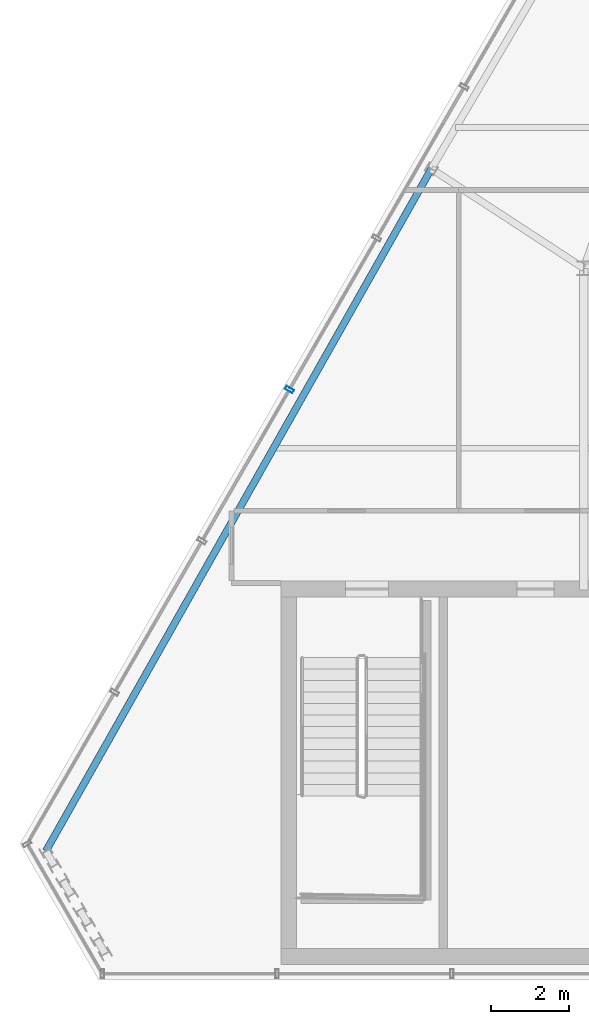
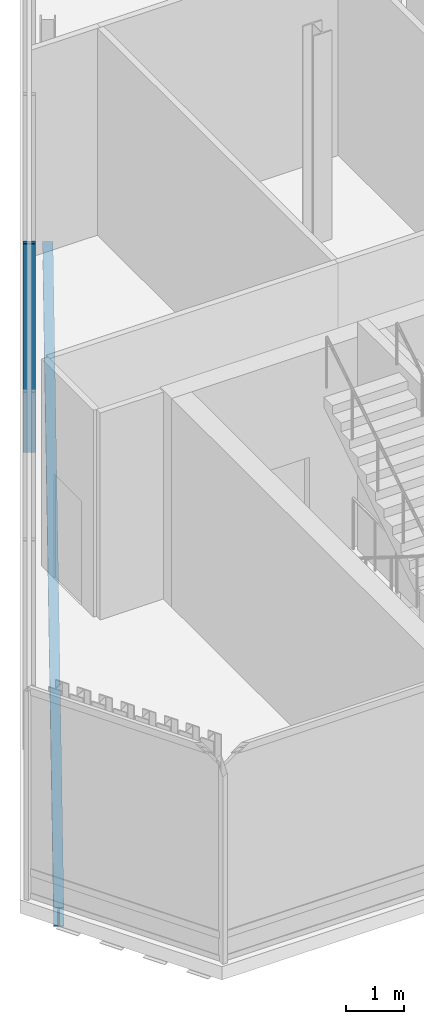
# One storey, part 4 of 25: 1 beam, 1 member, 1 element without a shape of its own.
"""IFC4 building model written with IfcOpenShell, lengths in metres."""

from ifc_helpers import new_model, si_unit, direction, frame, origin, origin_2d, place, context, subcontext, project, spatial, hollow_rectangle, i_section, extrude, material, layer, layer_set, material_profile, profile_set, type_object, element, aggregate, save


model = new_model("IFC4")

# Units and contexts
model_context = context("Model", 3, precision=1e-05, world=origin(), true_north=direction((0.0, 1.0)))
body_context = subcontext(model_context, "Body", "Model", "MODEL_VIEW")
ifc_project = project(units=[si_unit("LENGTHUNIT", "METRE"), si_unit("AREAUNIT", "SQUARE_METRE"), si_unit("VOLUMEUNIT", "CUBIC_METRE"), si_unit("PLANEANGLEUNIT", "RADIAN"), si_unit("MASSUNIT", "GRAM", prefix="KILO")], contexts=[model_context])

# Site, building, storey
site_placement = place(None, origin())
site = spatial("IfcSite", under=ifc_project, at=site_placement, CompositionType="ELEMENT")
building_placement = place(site_placement, origin())
building = spatial("IfcBuilding", under=site, at=building_placement, Name="Ndaravel Arena Tower", CompositionType="ELEMENT")
storey_placement = place(building_placement, frame((0.0, 0.0, 303.300048828125)))
storey = spatial("IfcBuildingStorey", under=building, at=storey_placement, Name="L74", CompositionType="ELEMENT", Elevation=303.300048828125)

# Beam
ifc_material_1 = material(Name="Steel S355", Category="steel")
ifc_material_profile_1 = material_profile(ifc_material_1, i_section(OverallWidth=0.179931640625, OverallDepth=0.39990234375, WebThickness=0.008544921875, FlangeThickness=0.013427734375, FilletRadius=0.02099609375, at=origin_2d()), Name="IPE 400")
ifc_profile_set_1 = profile_set([ifc_material_profile_1], Name="Steel S355")
beam_type = type_object("IfcBeamType", Name="BM-SPAN-IPE400", PredefinedType="SPANDREL", material=ifc_profile_set_1)
beam_placement = place(storey_placement, frame((30.2998046875, 25.745361328125, -0.47998046875), z_axis=(-0.491859734606, -0.870674452062, 0.0), x_axis=(0.870674452062, -0.491859734606, 0.0)))
element("IfcBeam", 1, at=beam_placement, inside=storey, type_object=beam_type, Name="L74 Perimeter Spandrel Beam SP-19", PredefinedType="SPANDREL", context=body_context, shape_type="SweptSolid", body=[
    extrude(i_section(OverallWidth=0.179931640625, OverallDepth=0.39990234375, WebThickness=0.008544921875, FlangeThickness=0.013427734375, FilletRadius=0.02099609375, at=origin_2d()), origin(), (0.0, 0.0, 1.0), 20.03955078125),
])

# Curtain wall, member
ifc_material_2 = material(Name="Aluminium", Category="aluminium")
ifc_layer = layer(ifc_material_2, 0.179931640625)
ifc_layer_set = layer_set([ifc_layer], Name="Aluminium")
curtain_wall_type = type_object("IfcCurtainWallType", Name="CW-SYS-04", PredefinedType="NOTDEFINED", material=ifc_layer_set)
curtain_wall_placement = place(storey_placement, origin())
curtain_wall = element("IfcCurtainWall", 2, at=curtain_wall_placement, inside=storey, type_object=curtain_wall_type, Name="L74 Faceted Crystal Curtain Wall CW-L74-E05", PredefinedType="NOTDEFINED")
ifc_material_3 = material(Name="Aluminium", Category="aluminium")
ifc_material_profile_2 = material_profile(ifc_material_3, hollow_rectangle(XDim=0.090087890625, YDim=0.219970703125, WallThickness=0.0048828125, at=origin_2d()), Name="CW MULLION 90x220x5")
ifc_profile_set_2 = profile_set([ifc_material_profile_2], Name="Aluminium")
member_type = type_object("IfcMemberType", Name="MEM-CW-MUL220", PredefinedType="MULLION", material=ifc_profile_set_2)
member_placement = place(storey_placement, frame((26.670166015625, 20.0986328125, 0.0), z_axis=(0.0, 0.0, 1.0), x_axis=(-0.5, -0.866025403784, 0.0)))
member = element("IfcMember", 3, at=member_placement, type_object=member_type, Name="CW-L74-E05 Mullion 06", PredefinedType="MULLION", context=body_context, shape_type="SweptSolid", body=[
    extrude(hollow_rectangle(XDim=0.090087890625, YDim=0.219970703125, WallThickness=0.0048828125, at=origin_2d()), origin(), (0.0, 0.0, 1.0), 4.39990234375),
])
aggregate(curtain_wall, [member])

save(model, "model.ifc")
